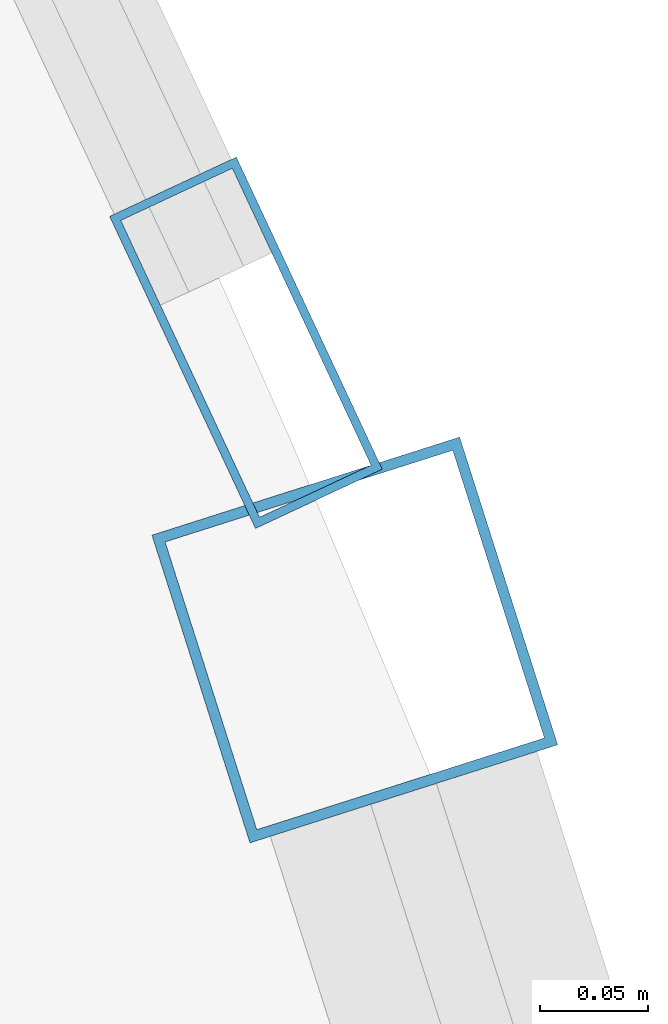
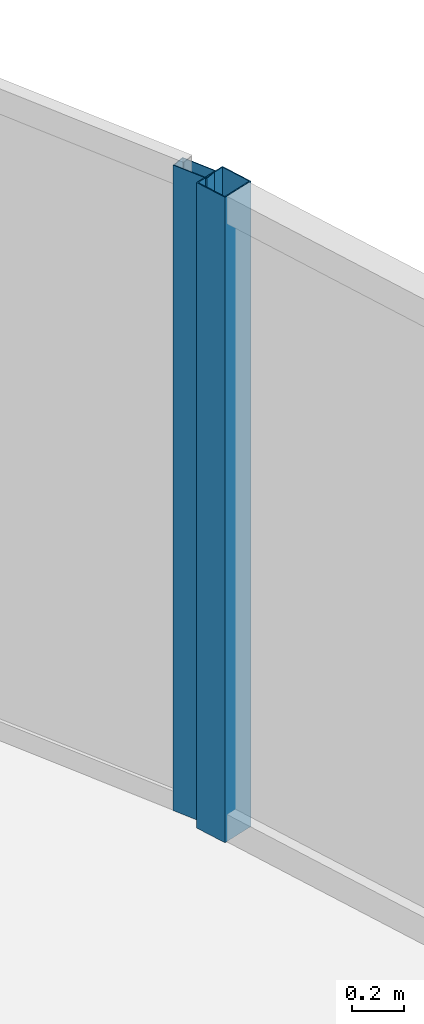
# One storey, part 16 of 30: 2 members, 2 elements without a shape of their own.
"""IFC4 building model written with IfcOpenShell, lengths in metres."""

from ifc_helpers import new_model, si_unit, direction, frame, origin, origin_2d, place, context, subcontext, project, spatial, hollow_rectangle, extrude, material, layer, layer_set, material_profile, profile_set, type_object, element, aggregate, save


model = new_model("IFC4")

# Units and contexts
model_context = context("Model", 3, precision=1e-05, world=origin(), true_north=direction((0.0, 1.0)))
body_context = subcontext(model_context, "Body", "Model", "MODEL_VIEW")
ifc_project = project(units=[si_unit("LENGTHUNIT", "METRE"), si_unit("AREAUNIT", "SQUARE_METRE"), si_unit("VOLUMEUNIT", "CUBIC_METRE"), si_unit("PLANEANGLEUNIT", "RADIAN"), si_unit("MASSUNIT", "GRAM", prefix="KILO")], contexts=[model_context])

# Site, building, storey
site_placement = place(None, origin())
site = spatial("IfcSite", under=ifc_project, at=site_placement, CompositionType="ELEMENT")
building_placement = place(site_placement, origin())
building = spatial("IfcBuilding", under=site, at=building_placement, Name="Orvanel Arch Residences", CompositionType="ELEMENT")
storey_placement = place(building_placement, frame((0.0, 0.0, 240.35009765625)))
storey = spatial("IfcBuildingStorey", under=building, at=storey_placement, Name="L68", CompositionType="ELEMENT", Elevation=240.35009765625)

# Curtain wall, member
ifc_material = material(Name="Bronze-anodised aluminium AA6063-T6", Category="aluminium")
ifc_layer_1 = layer(ifc_material, 0.18994140625)
ifc_layer_set_1 = layer_set([ifc_layer_1], Name="Bronze-anodised aluminium AA6063-T6")
curtain_wall_type_1 = type_object("IfcCurtainWallType", Name="CW5-CRN-SYS", PredefinedType="NOTDEFINED", material=ifc_layer_set_1)
curtain_wall_1_placement = place(storey_placement, origin())
curtain_wall_1 = element("IfcCurtainWall", 1, at=curtain_wall_1_placement, inside=storey, type_object=curtain_wall_type_1, Name="L68 CW5-CRN-SYS Unitised Curtain Wall", PredefinedType="NOTDEFINED")
ifc_material_profile_1 = material_profile(ifc_material, hollow_rectangle(XDim=0.14990234375, YDim=0.14990234375, WallThickness=0.0048828125, at=origin_2d()), Name="ALU150x150x5")
ifc_profile_set_1 = profile_set([ifc_material_profile_1], Name="Bronze-anodised aluminium AA6063-T6")
member_type_1 = type_object("IfcMemberType", Name="MUL-150x150", PredefinedType="MULLION", material=ifc_profile_set_1)
member_1_placement = place(storey_placement, frame((53.4228515625, 15.33251953125, 0.0), z_axis=(0.0, 0.0, 1.0), x_axis=(-0.952801726678, -0.303593263494, 0.0)))
member_1 = element("IfcMember", 2, at=member_1_placement, type_object=member_type_1, Name="CW-S5 mullion 2", PredefinedType="MULLION", context=body_context, shape_type="SweptSolid", body=[
    extrude(hollow_rectangle(XDim=0.14990234375, YDim=0.14990234375, WallThickness=0.0048828125, at=origin_2d()), origin(), (0.0, 0.0, 1.0), 3.059814453125),
])
aggregate(curtain_wall_1, [member_1])

ifc_layer_2 = layer(ifc_material, 0.175048828125)
ifc_layer_set_2 = layer_set([ifc_layer_2], Name="Bronze-anodised aluminium AA6063-T6")
curtain_wall_type_2 = type_object("IfcCurtainWallType", Name="CW4-HI-SYS", PredefinedType="NOTDEFINED", material=ifc_layer_set_2)
curtain_wall_2_placement = place(storey_placement, origin())
curtain_wall_2 = element("IfcCurtainWall", 3, at=curtain_wall_2_placement, inside=storey, type_object=curtain_wall_type_2, Name="L68 CW4-HI-SYS Unitised Curtain Wall", PredefinedType="NOTDEFINED")
ifc_material_profile_2 = material_profile(ifc_material, hollow_rectangle(XDim=0.06494140625, YDim=0.159912109375, WallThickness=0.00390625, at=origin_2d()), Name="ALU160x65x4")
ifc_profile_set_2 = profile_set([ifc_material_profile_2], Name="Bronze-anodised aluminium AA6063-T6")
member_type_2 = type_object("IfcMemberType", Name="MUL-160x65", PredefinedType="MULLION", material=ifc_profile_set_2)
member_2_placement = place(storey_placement, frame((53.372314453125, 15.470458984375, 0.0), z_axis=(0.0, 0.0, 1.0), x_axis=(-0.9059146694, -0.423460283576, 0.0)))
member_2 = element("IfcMember", 4, at=member_2_placement, type_object=member_type_2, Name="CW-S4 mullion 1", PredefinedType="MULLION", context=body_context, shape_type="SweptSolid", body=[
    extrude(hollow_rectangle(XDim=0.06494140625, YDim=0.159912109375, WallThickness=0.00390625, at=origin_2d()), origin(), (0.0, 0.0, 1.0), 3.059814453125),
])
aggregate(curtain_wall_2, [member_2])

save(model, "model.ifc")
